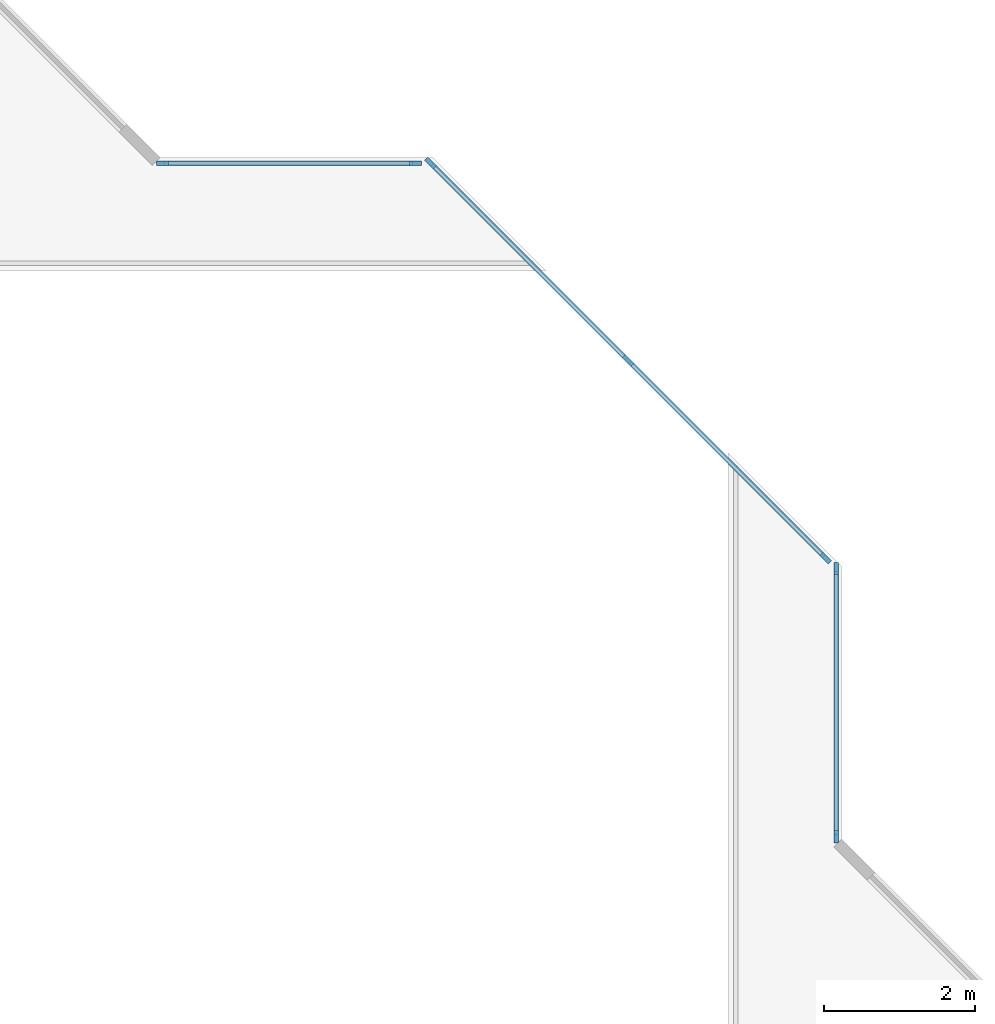
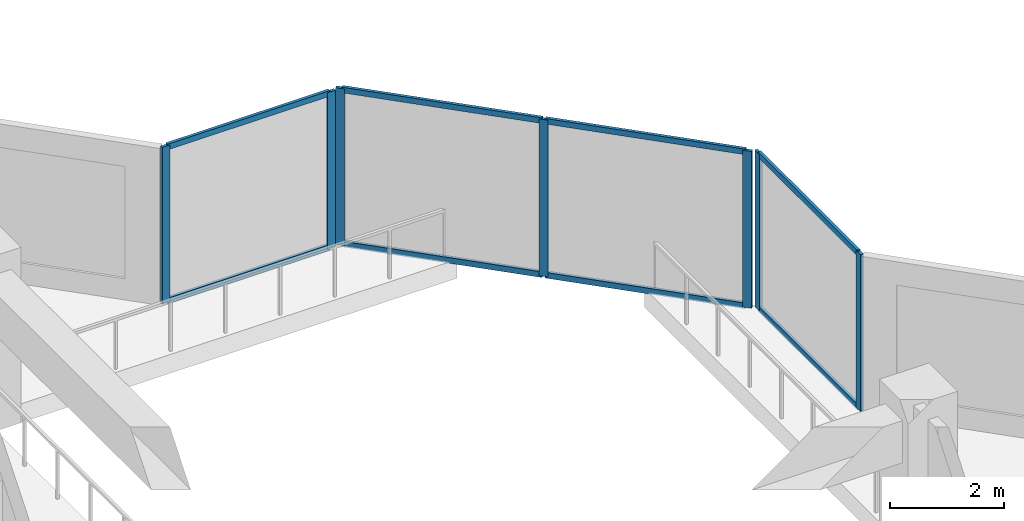
# One storey, part 2 of 14: 15 members, 3 elements without a shape of their own.
"""IFC4 building model written with IfcOpenShell, lengths in metres."""

import ifcopenshell
import ifcopenshell.guid

model = None  # the IFC model being written
_history = None  # IfcOwnerHistory: only IFC2X3 demands one
_inside = {}  # id of a spatial element -> (the spatial element, [elements in it])
_under = {}  # id of a project, library or spatial element -> (it, [spatial elements below it])
_declared = {}  # id of a project -> (the project, [libraries it declares])
_typed = {}  # id of a type object -> (the type object, [elements of that type])
_made_of = {}  # id of a material, layer set ... -> (it, [elements and type objects made of it])


def new_model(schema):
    """Start an empty IFC model of exactly this schema.

    Asked for "IFC4X3", IfcOpenShell would pick the latest addendum, in which some entities
    have other attributes; the version numbers below select the first issue.
    IFC2X3 requires an IfcOwnerHistory on every rooted entity: one is made here for all.
    """
    global model, _history
    if schema == "IFC4X3":
        model = ifcopenshell.file(schema_version=(4, 3, 0, 0))
    else:
        model = ifcopenshell.file(schema=schema)
    _inside.clear()
    _under.clear()
    _declared.clear()
    _typed.clear()
    _made_of.clear()
    _history = None
    if model.schema == "IFC2X3":
        org = make("IfcOrganization", Name="unknown")
        user = make(
            "IfcPersonAndOrganization",
            ThePerson=make("IfcPerson", FamilyName="unknown"),
            TheOrganization=org,
        )
        app = make(
            "IfcApplication",
            ApplicationDeveloper=org,
            Version="unknown",
            ApplicationFullName="unknown",
            ApplicationIdentifier="unknown",
        )
        _history = make(
            "IfcOwnerHistory",
            OwningUser=user,
            OwningApplication=app,
            ChangeAction="ADDED",
            CreationDate=0,
        )
    return model


def make(cls, **values):
    """One entity of the class cls with the attributes given. An attribute that is None is left unset."""
    return model.create_entity(
        cls, **{name: value for name, value in values.items() if value is not None}
    )


def rooted(cls, **values):
    """An entity with a GlobalId (a new one), such as an element, a storey or a relation."""
    return make(cls, GlobalId=ifcopenshell.guid.new(), OwnerHistory=_history, **values)


def si_unit(unit_type, name, prefix=None):
    """IfcSIUnit, for example si_unit("LENGTHUNIT", "METRE", prefix="MILLI")."""
    return make("IfcSIUnit", UnitType=unit_type, Prefix=prefix, Name=name)


def assignment(units):
    """IfcUnitAssignment: the units of a project."""
    return None if units is None else make("IfcUnitAssignment", Units=units)


def point(xyz):
    """IfcCartesianPoint."""
    return None if xyz is None else make("IfcCartesianPoint", Coordinates=xyz)


def direction(xyz):
    """IfcDirection."""
    return None if xyz is None else make("IfcDirection", DirectionRatios=xyz)


def frame(location, z_axis=None, x_axis=None):
    """IfcAxis2Placement3D, a coordinate frame: its origin and axes. An axis left out is left unset."""
    return make(
        "IfcAxis2Placement3D",
        Location=point(location),
        Axis=direction(z_axis),
        RefDirection=direction(x_axis),
    )


def frame_2d(location, x_axis=None):
    """IfcAxis2Placement2D, a coordinate frame in the plane: its origin and x axis."""
    return make(
        "IfcAxis2Placement2D", Location=point(location), RefDirection=direction(x_axis)
    )


def origin():
    """The frame at (0, 0, 0) with its axes left unset."""
    return frame((0.0, 0.0, 0.0))


def origin_2d():
    """The frame at (0, 0) in the plane with its x axis left unset."""
    return frame_2d((0.0, 0.0))


def place(relative_to, where):
    """IfcLocalPlacement: puts the frame where relative to a parent placement (None: the world)."""
    return make(
        "IfcLocalPlacement", PlacementRelTo=relative_to, RelativePlacement=where
    )


def context(
    kind, dimensions, precision=None, world=None, true_north=None, identifier=None
):
    """IfcGeometricRepresentationContext, for example the 3D "Model" context."""
    return make(
        "IfcGeometricRepresentationContext",
        ContextIdentifier=identifier,
        ContextType=kind,
        CoordinateSpaceDimension=dimensions,
        Precision=precision,
        WorldCoordinateSystem=world,
        TrueNorth=true_north,
    )


def subcontext(parent, identifier, kind, view, scale=None):
    """IfcGeometricRepresentationSubContext, for example "Body" below "Model"."""
    return make(
        "IfcGeometricRepresentationSubContext",
        ContextIdentifier=identifier,
        ContextType=kind,
        ParentContext=parent,
        TargetScale=scale,
        TargetView=view,
    )


def project(units=None, contexts=None):
    """IfcProject with its units and contexts."""
    return rooted(
        "IfcProject",
        Name="project",
        RepresentationContexts=contexts,
        UnitsInContext=assignment(units),
    )


def spatial(cls, under=None, at=None, **own):
    """A site, building, storey or space (cls), placed at a placement, below another one or the project."""
    s = rooted(cls, ObjectPlacement=at, **own)
    if under is not None:
        _under.setdefault(under.id(), (under, []))[1].append(s)
    return s


def profile(cls, at=None, kind="AREA", **sizes):
    """A parametric profile (cls). Its sizes go by their IFC names, for example OverallWidth=200.0."""
    return make(cls, ProfileType=kind, Position=at, **sizes)


def rectangle(**sizes):
    """IfcRectangleProfileDef."""
    return profile("IfcRectangleProfileDef", **sizes)


def extrude(swept, where, along, depth):
    """IfcExtrudedAreaSolid: the profile swept, set in the frame where, extruded along a direction by depth."""
    return make(
        "IfcExtrudedAreaSolid",
        SweptArea=swept,
        Position=where,
        ExtrudedDirection=direction(along),
        Depth=depth,
    )


def shape(context_of_items, identifier, shape_type, items):
    """IfcShapeRepresentation: the items that make up one representation, for example the "Body"."""
    return make(
        "IfcShapeRepresentation",
        ContextOfItems=context_of_items,
        RepresentationIdentifier=identifier,
        RepresentationType=shape_type,
        Items=items,
    )


def material(Name=None, Category=None):
    """IfcMaterial."""
    return make("IfcMaterial", Name=Name, Category=Category)


def layer(
    of_material, thickness, ventilated=None, Name=None, Category=None, Priority=None
):
    """IfcMaterialLayer: one layer of a wall or slab, of a material (None: an air gap)."""
    return make(
        "IfcMaterialLayer",
        Material=of_material,
        LayerThickness=thickness,
        IsVentilated=ventilated,
        Name=Name,
        Category=Category,
        Priority=Priority,
    )


def layer_set(layers, Name=None):
    """IfcMaterialLayerSet."""
    return make("IfcMaterialLayerSet", MaterialLayers=layers, LayerSetName=Name)


def material_profile(
    of_material, cross_section, Name=None, Category=None, Priority=None
):
    """IfcMaterialProfile: a cross section and its material."""
    return make(
        "IfcMaterialProfile",
        Name=Name,
        Material=of_material,
        Profile=cross_section,
        Priority=Priority,
        Category=Category,
    )


def profile_set(profiles, Name=None, composite=None):
    """IfcMaterialProfileSet."""
    return make(
        "IfcMaterialProfileSet",
        Name=Name,
        MaterialProfiles=profiles,
        CompositeProfile=composite,
    )


def made_of(thing, what):
    """Note that an element or type object is made of a material, layer set ...; save() writes the relation."""
    if what is not None:
        _made_of.setdefault(what.id(), (what, []))[1].append(thing)
    return thing


def type_object(cls, material=None, **own):
    """A type object (cls), such as IfcWallType, which elements share."""
    return made_of(rooted(cls, **own), material)


def element(
    cls,
    number,
    at=None,
    inside=None,
    cuts=None,
    type_object=None,
    material=None,
    context=None,
    identifier="Body",
    shape_type=None,
    held_by="IfcProductDefinitionShape",
    body=None,
    shapes=None,
    **own,
):
    """One element of the class cls, such as IfcWall. Its Tag is "e" and its number.

    at: its placement. inside: the storey or other place that contains it. cuts: it is an
    opening in that element (IfcRelVoidsElement). A single representation is given by context,
    identifier, shape_type and body (its items); several are given by shapes. held_by: the class
    of the entity that holds the representations. save() writes the other relations.
    """
    e = rooted(cls, Tag="e%d" % number, ObjectPlacement=at, **own)
    if body is not None:
        shapes = [shape(context, identifier, shape_type, body)]
    if shapes is not None:
        e.Representation = make(held_by, Representations=shapes)
    if inside is not None:
        _inside.setdefault(inside.id(), (inside, []))[1].append(e)
    if cuts is not None:
        rooted(
            "IfcRelVoidsElement", RelatingBuildingElement=cuts, RelatedOpeningElement=e
        )
    if type_object is not None:
        _typed.setdefault(type_object.id(), (type_object, []))[1].append(e)
    return made_of(e, material)


def aggregate(whole, parts):
    """IfcRelAggregates: a whole, such as a stair, and the parts it consists of."""
    return rooted("IfcRelAggregates", RelatingObject=whole, RelatedObjects=parts)


def save(model, path):
    """Write the relations noted so far, then the file.

    IfcRelAggregates (storeys below a building ...), IfcRelContainedInSpatialStructure (elements
    in a storey), IfcRelDefinesByType, IfcRelAssociatesMaterial and IfcRelDeclares: one each for
    every whole, place, type object, material and project.
    """
    for whole, parts in _under.values():
        aggregate(whole, parts)
    for where, things in _inside.values():
        rooted(
            "IfcRelContainedInSpatialStructure",
            RelatedElements=things,
            RelatingStructure=where,
        )
    for kind, things in _typed.values():
        rooted("IfcRelDefinesByType", RelatedObjects=things, RelatingType=kind)
    for what, things in _made_of.values():
        rooted("IfcRelAssociatesMaterial", RelatedObjects=things, RelatingMaterial=what)
    for by, libraries in _declared.values():
        rooted("IfcRelDeclares", RelatingContext=by, RelatedDefinitions=libraries)
    model.write(path)


model = new_model("IFC4")

# Units and contexts
model_context = context("Model", 3, precision=1e-05, world=origin(), true_north=direction((0.0, 1.0)))
body_context = subcontext(model_context, "Body", "Model", "MODEL_VIEW")
ifc_project = project(units=[si_unit("LENGTHUNIT", "METRE"), si_unit("AREAUNIT", "SQUARE_METRE"), si_unit("VOLUMEUNIT", "CUBIC_METRE"), si_unit("PLANEANGLEUNIT", "RADIAN"), si_unit("MASSUNIT", "GRAM", prefix="KILO")], contexts=[model_context])

# Site, building, storey
site_placement = place(None, origin())
site = spatial("IfcSite", under=ifc_project, at=site_placement, CompositionType="ELEMENT")
building_placement = place(site_placement, origin())
building = spatial("IfcBuilding", under=site, at=building_placement, Name="Chenar Terraces", CompositionType="ELEMENT")
storey_placement = place(building_placement, frame((0.0, 0.0, 110.64990234375)))
storey = spatial("IfcBuildingStorey", under=building, at=storey_placement, Name="L25", CompositionType="ELEMENT", Elevation=110.64990234375)

# Curtain wall, members
ifc_material_1 = material(Name="Aluminium framed glazing", Category="aluminium")
ifc_layer = layer(ifc_material_1, 0.14990234375)
ifc_layer_set = layer_set([ifc_layer], Name="Aluminium framed glazing")
curtain_wall_type = type_object("IfcCurtainWallType", Name="Atrium curtain wall", PredefinedType="NOTDEFINED", material=ifc_layer_set)
placement = place(storey_placement, origin())
curtain_wall_1 = element("IfcCurtainWall", 1, at=placement, inside=storey, type_object=curtain_wall_type, Name="Atrium curtain wall", PredefinedType="NOTDEFINED")
ifc_material_2 = material(Name="Aluminium", Category="aluminium")
ifc_material_profile_1 = material_profile(ifc_material_2, rectangle(XDim=0.06005859375, YDim=0.159912109375, at=origin_2d()), Name="Atrium glazing mullion 60 x 160")
ifc_profile_set_1 = profile_set([ifc_material_profile_1], Name="Aluminium")
member_type_1 = type_object("IfcMemberType", Name="Atrium glazing mullion 60 x 160", PredefinedType="MULLION", material=ifc_profile_set_1)
member_1_placement = place(storey_placement, frame((37.425048828125, 28.530029296875, 0.0), z_axis=(0.0, 0.0, 1.0), x_axis=(-1.0, 0.0, 0.0)))
member_1 = element("IfcMember", 2, at=member_1_placement, type_object=member_type_1, Name="CW1-1 mullion 1", PredefinedType="MULLION", context=body_context, shape_type="SweptSolid", body=[
    extrude(rectangle(XDim=0.06005859375, YDim=0.159912109375, at=origin_2d()), origin(), (0.0, 0.0, 1.0), 3.35009765625),
])
member_2_placement = place(storey_placement, frame((37.425048828125, 32.070068359375, 0.0), z_axis=(0.0, 0.0, 1.0), x_axis=(-1.0, 0.0, 0.0)))
member_2 = element("IfcMember", 3, at=member_2_placement, type_object=member_type_1, Name="CW1-1 mullion 2", PredefinedType="MULLION", context=body_context, shape_type="SweptSolid", body=[
    extrude(rectangle(XDim=0.06005859375, YDim=0.159912109375, at=origin_2d()), origin(), (0.0, 0.0, 1.0), 3.35009765625),
])

curtain_wall_2 = element("IfcCurtainWall", 4, at=placement, inside=storey, type_object=curtain_wall_type, Name="Atrium curtain wall", PredefinedType="NOTDEFINED")
member_3_placement = place(storey_placement, frame((37.284423828125, 32.209716796875, 0.0), z_axis=(0.0, 0.0, 1.0), x_axis=(-0.707106781187, -0.707106781187, 0.0)))
member_3 = element("IfcMember", 5, at=member_3_placement, type_object=member_type_1, Name="CW1-2 mullion 1", PredefinedType="MULLION", context=body_context, shape_type="SweptSolid", body=[
    extrude(rectangle(XDim=0.06005859375, YDim=0.159912109375, at=origin_2d()), origin(), (0.0, 0.0, 1.0), 3.35009765625),
])
member_4_placement = place(storey_placement, frame((34.67626953125, 34.817626953125, 0.0), z_axis=(0.0, 0.0, 1.0), x_axis=(-0.707106781187, -0.707106781187, 0.0)))
member_4 = element("IfcMember", 6, at=member_4_placement, type_object=member_type_1, Name="CW1-2 mullion 2", PredefinedType="MULLION", context=body_context, shape_type="SweptSolid", body=[
    extrude(rectangle(XDim=0.06005859375, YDim=0.159912109375, at=origin_2d()), origin(), (0.0, 0.0, 1.0), 3.35009765625),
])
member_5_placement = place(storey_placement, frame((32.068115234375, 37.42578125, 0.0), z_axis=(0.0, 0.0, 1.0), x_axis=(-0.707106781187, -0.707106781187, 0.0)))
member_5 = element("IfcMember", 7, at=member_5_placement, type_object=member_type_1, Name="CW1-2 mullion 3", PredefinedType="MULLION", context=body_context, shape_type="SweptSolid", body=[
    extrude(rectangle(XDim=0.06005859375, YDim=0.159912109375, at=origin_2d()), origin(), (0.0, 0.0, 1.0), 3.35009765625),
])

curtain_wall_3 = element("IfcCurtainWall", 8, at=placement, inside=storey, type_object=curtain_wall_type, Name="Atrium curtain wall", PredefinedType="NOTDEFINED")
member_6_placement = place(storey_placement, frame((31.8701171875, 37.425048828125, 0.0), z_axis=(0.0, 0.0, 1.0), x_axis=(0.0, -1.0, 0.0)))
member_6 = element("IfcMember", 9, at=member_6_placement, type_object=member_type_1, Name="CW1-3 mullion 1", PredefinedType="MULLION", context=body_context, shape_type="SweptSolid", body=[
    extrude(rectangle(XDim=0.06005859375, YDim=0.159912109375, at=origin_2d()), origin(), (0.0, 0.0, 1.0), 3.35009765625),
])
member_7_placement = place(storey_placement, frame((28.530029296875, 37.425048828125, 0.0), z_axis=(0.0, 0.0, 1.0), x_axis=(0.0, -1.0, 0.0)))
member_7 = element("IfcMember", 10, at=member_7_placement, type_object=member_type_1, Name="CW1-3 mullion 2", PredefinedType="MULLION", context=body_context, shape_type="SweptSolid", body=[
    extrude(rectangle(XDim=0.06005859375, YDim=0.159912109375, at=origin_2d()), origin(), (0.0, 0.0, 1.0), 3.35009765625),
])

# Member
ifc_material_3 = material(Name="Aluminium", Category="aluminium")
ifc_material_profile_2 = material_profile(ifc_material_3, rectangle(XDim=0.06005859375, YDim=0.1201171875, at=origin_2d()), Name="Atrium glazing transom 60 x 120")
ifc_profile_set_2 = profile_set([ifc_material_profile_2], Name="Aluminium")
member_type_2 = type_object("IfcMemberType", Name="Atrium glazing transom 60 x 120", PredefinedType="USERDEFINED", material=ifc_profile_set_2)
member_8_placement = place(storey_placement, frame((37.425048828125, 28.56005859375, 0.030029296875), z_axis=(0.0, 1.0, 0.0), x_axis=(-1.0, 0.0, 0.0)))
member_8 = element("IfcMember", 11, at=member_8_placement, type_object=member_type_2, Name="CW1-1 transom 1.1", ObjectType="TRANSOM", PredefinedType="USERDEFINED", context=body_context, shape_type="SweptSolid", body=[
    extrude(rectangle(XDim=0.06005859375, YDim=0.1201171875, at=origin_2d()), origin(), (0.0, 0.0, 1.0), 3.47998046875),
])

member_9_placement = place(storey_placement, frame((37.425048828125, 28.56005859375, 3.320068359375), z_axis=(0.0, 1.0, 0.0), x_axis=(-1.0, 0.0, 0.0)))
member_9 = element("IfcMember", 12, at=member_9_placement, type_object=member_type_2, Name="CW1-1 transom 1.2", ObjectType="TRANSOM", PredefinedType="USERDEFINED", context=body_context, shape_type="SweptSolid", body=[
    extrude(rectangle(XDim=0.06005859375, YDim=0.1201171875, at=origin_2d()), origin(), (0.0, 0.0, 1.0), 3.47998046875),
])

aggregate(curtain_wall_1, [member_1, member_2, member_8, member_9])

member_10_placement = place(storey_placement, frame((37.26318359375, 32.230712890625, 0.030029296875), z_axis=(-0.707106781187, 0.707106781187, 0.0), x_axis=(-0.707106781187, -0.707106781187, 0.0)))
member_10 = element("IfcMember", 13, at=member_10_placement, type_object=member_type_2, Name="CW1-2 transom 1.1", ObjectType="TRANSOM", PredefinedType="USERDEFINED", context=body_context, shape_type="SweptSolid", body=[
    extrude(rectangle(XDim=0.06005859375, YDim=0.1201171875, at=origin_2d()), origin(), (0.0, 0.0, 1.0), 3.62841796875),
])

member_11_placement = place(storey_placement, frame((37.26318359375, 32.230712890625, 3.320068359375), z_axis=(-0.707106781187, 0.707106781187, 0.0), x_axis=(-0.707106781187, -0.707106781187, 0.0)))
member_11 = element("IfcMember", 14, at=member_11_placement, type_object=member_type_2, Name="CW1-2 transom 1.2", ObjectType="TRANSOM", PredefinedType="USERDEFINED", context=body_context, shape_type="SweptSolid", body=[
    extrude(rectangle(XDim=0.06005859375, YDim=0.1201171875, at=origin_2d()), origin(), (0.0, 0.0, 1.0), 3.62841796875),
])

member_12_placement = place(storey_placement, frame((34.655029296875, 34.8388671875, 0.030029296875), z_axis=(-0.707106781187, 0.707106781187, 0.0), x_axis=(-0.707106781187, -0.707106781187, 0.0)))
member_12 = element("IfcMember", 15, at=member_12_placement, type_object=member_type_2, Name="CW1-2 transom 2.1", ObjectType="TRANSOM", PredefinedType="USERDEFINED", context=body_context, shape_type="SweptSolid", body=[
    extrude(rectangle(XDim=0.06005859375, YDim=0.1201171875, at=origin_2d()), origin(), (0.0, 0.0, 1.0), 3.62841796875),
])

member_13_placement = place(storey_placement, frame((34.655029296875, 34.8388671875, 3.320068359375), z_axis=(-0.707106781187, 0.707106781187, 0.0), x_axis=(-0.707106781187, -0.707106781187, 0.0)))
member_13 = element("IfcMember", 16, at=member_13_placement, type_object=member_type_2, Name="CW1-2 transom 2.2", ObjectType="TRANSOM", PredefinedType="USERDEFINED", context=body_context, shape_type="SweptSolid", body=[
    extrude(rectangle(XDim=0.06005859375, YDim=0.1201171875, at=origin_2d()), origin(), (0.0, 0.0, 1.0), 3.62841796875),
])

aggregate(curtain_wall_2, [member_3, member_4, member_5, member_10, member_11, member_12, member_13])

member_14_placement = place(storey_placement, frame((31.840087890625, 37.425048828125, 0.030029296875), z_axis=(-1.0, 0.0, 0.0), x_axis=(0.0, -1.0, 0.0)))
member_14 = element("IfcMember", 17, at=member_14_placement, type_object=member_type_2, Name="CW1-3 transom 1.1", ObjectType="TRANSOM", PredefinedType="USERDEFINED", context=body_context, shape_type="SweptSolid", body=[
    extrude(rectangle(XDim=0.06005859375, YDim=0.1201171875, at=origin_2d()), origin(), (0.0, 0.0, 1.0), 3.280029296875),
])

member_15_placement = place(storey_placement, frame((31.840087890625, 37.425048828125, 3.320068359375), z_axis=(-1.0, 0.0, 0.0), x_axis=(0.0, -1.0, 0.0)))
member_15 = element("IfcMember", 18, at=member_15_placement, type_object=member_type_2, Name="CW1-3 transom 1.2", ObjectType="TRANSOM", PredefinedType="USERDEFINED", context=body_context, shape_type="SweptSolid", body=[
    extrude(rectangle(XDim=0.06005859375, YDim=0.1201171875, at=origin_2d()), origin(), (0.0, 0.0, 1.0), 3.280029296875),
])

aggregate(curtain_wall_3, [member_6, member_7, member_14, member_15])

save(model, "model.ifc")
